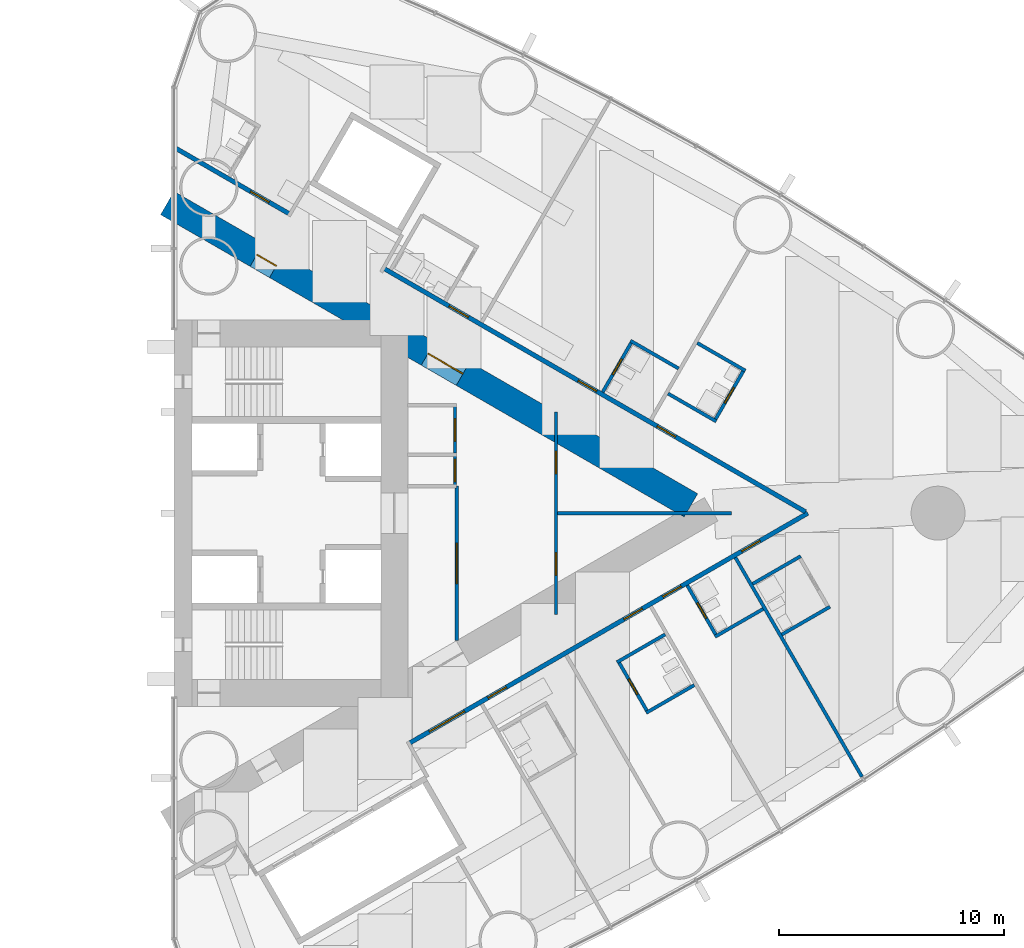
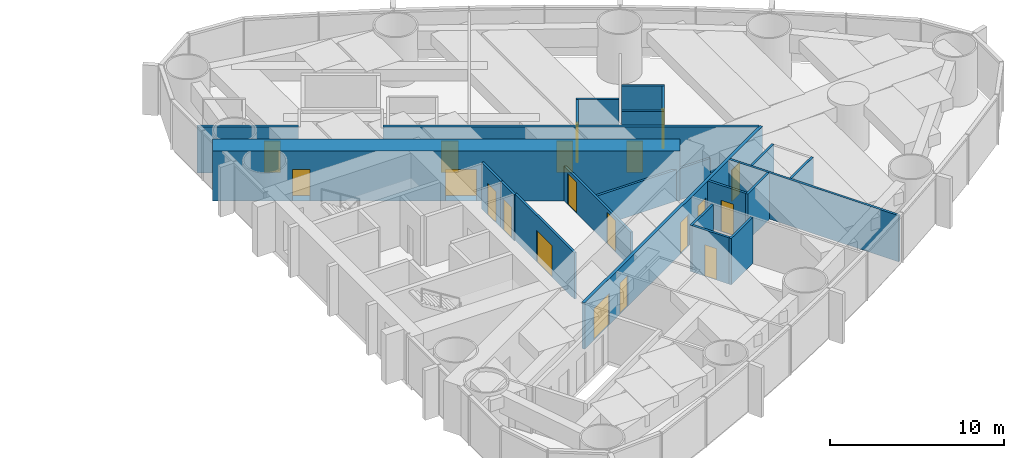
# One storey, part 15 of 19: 22 walls, 20 doors, 20 openings.
"""IFC4 building model written with IfcOpenShell, lengths in metres."""

from ifc_helpers import new_model, si_unit, direction, frame, frame_2d, origin, place, context, subcontext, project, spatial, rectangle, extrude, material, layer, layer_set, type_object, element, fill, save


model = new_model("IFC4")

# Units and contexts
model_context = context("Model", 3, precision=1e-05, world=origin(), true_north=direction((0.0, 1.0)))
body_context = subcontext(model_context, "Body", "Model", "MODEL_VIEW")
ifc_project = project(units=[si_unit("LENGTHUNIT", "METRE"), si_unit("AREAUNIT", "SQUARE_METRE"), si_unit("VOLUMEUNIT", "CUBIC_METRE"), si_unit("PLANEANGLEUNIT", "RADIAN"), si_unit("MASSUNIT", "GRAM", prefix="KILO")], contexts=[model_context])

# Site, building, storey
site_placement = place(None, origin())
site = spatial("IfcSite", under=ifc_project, at=site_placement, CompositionType="ELEMENT")
building_placement = place(site_placement, origin())
building = spatial("IfcBuilding", under=site, at=building_placement, Name="Lancet Gate Hotel", CompositionType="ELEMENT")
storey_placement = place(building_placement, frame((0.0, 0.0, 90.60009765625)))
storey = spatial("IfcBuildingStorey", under=building, at=storey_placement, Name="L23", CompositionType="ELEMENT", Elevation=90.60009765625)

# Wall
ifc_material_1 = material(Name="Moisture resistant board partition")
ifc_layer_1 = layer(ifc_material_1, 0.14990234375)
ifc_layer_set_1 = layer_set([ifc_layer_1], Name="Bathroom wall 150")
wall_type_1 = type_object("IfcWallType", Name="Bathroom wall 150", PredefinedType="PARTITIONING", material=ifc_layer_set_1)
wall_1_placement = place(storey_placement, frame((48.510009765625, -8.88671875, 0.0), z_axis=(0.0, 0.0, 1.0), x_axis=(0.866031185235, 0.4999899861, 0.0)))
element("IfcWall", 1, at=wall_1_placement, inside=storey, type_object=wall_type_1, Name="T2 bathroom wall 150 L23", PredefinedType="PARTITIONING", context=body_context, shape_type="SweptSolid", body=[
    extrude(rectangle(XDim=2.47509765625, YDim=0.14990234375, at=frame_2d((1.237548828125, 0.0))), origin(), (0.0, 0.0, 1.0), 3.25),
])

# Wall, opening, door
wall_2_placement = place(storey_placement, frame((47.275146484375, -6.597412109375, 0.0), z_axis=(0.0, 0.0, 1.0), x_axis=(0.499936506574, -0.866062058628, 0.0)))
wall_2 = element("IfcWall", 2, at=wall_2_placement, inside=storey, type_object=wall_type_1, Name="T2 bathroom wall 150 L23", PredefinedType="PARTITIONING", context=body_context, shape_type="SweptSolid", body=[
    extrude(rectangle(XDim=2.599853515625, YDim=0.14990234375, at=frame_2d((1.2998046875, 0.0))), origin(), (0.0, 0.0, 1.0), 3.25),
])
opening_1_placement = place(wall_2_placement, frame((0.89990234375, 0.0, 0.0)))
opening_1 = element("IfcOpeningElement", 3, at=opening_1_placement, cuts=wall_2, Name="Opening 2355-B", PredefinedType="OPENING", context=body_context, shape_type="SweptSolid", body=[
    extrude(rectangle(XDim=0.800048828125, YDim=2.199951171875, at=frame_2d((0.39990234375, 1.10009765625))), frame((0.0, 0.0849609375, 0.0), z_axis=(0.0, -1.0, 0.0), x_axis=(1.0, 0.0, 0.0)), (0.0, 0.0, 1.0), 0.169921875),
])
ifc_material_2 = material(Name="Timber door set", Category="wood")
door_type_1 = type_object("IfcDoorType", Name="Bathroom door 800", OperationType="SINGLE_SWING_RIGHT", PredefinedType="DOOR", material=ifc_material_2)
door_1_placement = place(opening_1_placement, origin())
door_1 = element("IfcDoor", 4, at=door_1_placement, inside=storey, type_object=door_type_1, Name="2355-B", OperationType="SINGLE_SWING_RIGHT", OverallHeight=2.199951171875, OverallWidth=0.800048828125, PredefinedType="DOOR", context=body_context, shape_type="SweptSolid", body=[
    extrude(rectangle(XDim=0.800048828125, YDim=2.199951171875, at=frame_2d((0.39990234375, 1.10009765625))), frame((0.0, 0.02490234375, 0.0), z_axis=(0.0, -1.0, 0.0), x_axis=(1.0, 0.0, 0.0)), (0.0, 0.0, 1.0), 0.050048828125),
])
fill(opening_1, door_1)

# Walls
for number, where, z_axis, x_axis, name in (
    (5, (47.210205078125, -6.635009765625, 0.0), (0.0, 0.0, 1.0), (0.866006523861, 0.500032699561, 0.0), "T2 bathroom wall 150 L23"),
    (6, (51.572998046875, -5.501708984375, 0.0), (0.0, 0.0, 1.0), (0.866006523861, 0.500032699561, 0.0), "T2 bathroom wall 150 L23"),
):
    element("IfcWall", number, at=place(storey_placement, frame(where, z_axis=z_axis, x_axis=x_axis)), inside=storey, type_object=wall_type_1, Name=name, PredefinedType="PARTITIONING", context=body_context, shape_type="SweptSolid", body=[
        extrude(rectangle(XDim=2.474853515625, YDim=0.14990234375, at=frame_2d((1.2373046875, 0.0))), origin(), (0.0, 0.0, 1.0), 3.25),
    ])

# Wall, opening, door
wall_3_placement = place(storey_placement, frame((50.337890625, -3.212646484375, 0.0), z_axis=(0.0, 0.0, 1.0), x_axis=(0.500047596559, -0.865997922154, 0.0)))
wall_3 = element("IfcWall", 7, at=wall_3_placement, inside=storey, type_object=wall_type_1, Name="T2 bathroom wall 150 L23", PredefinedType="PARTITIONING", context=body_context, shape_type="SweptSolid", body=[
    extrude(rectangle(XDim=2.599853515625, YDim=0.14990234375, at=frame_2d((1.2998046875, 0.0))), origin(), (0.0, 0.0, 1.0), 3.25),
])
opening_2_placement = place(wall_3_placement, frame((0.89990234375, 0.0, 0.0)))
opening_2 = element("IfcOpeningElement", 8, at=opening_2_placement, cuts=wall_3, Name="Opening 2356-B", PredefinedType="OPENING", context=body_context, shape_type="SweptSolid", body=[
    extrude(rectangle(XDim=0.800048828125, YDim=2.199951171875, at=frame_2d((0.39990234375, 1.10009765625))), frame((0.0, 0.0849609375, 0.0), z_axis=(0.0, -1.0, 0.0), x_axis=(1.0, 0.0, 0.0)), (0.0, 0.0, 1.0), 0.169921875),
])
door_2_placement = place(opening_2_placement, origin())
door_2 = element("IfcDoor", 9, at=door_2_placement, inside=storey, type_object=door_type_1, Name="2356-B", OperationType="SINGLE_SWING_RIGHT", OverallHeight=2.199951171875, OverallWidth=0.800048828125, PredefinedType="DOOR", context=body_context, shape_type="SweptSolid", body=[
    extrude(rectangle(XDim=0.800048828125, YDim=2.199951171875, at=frame_2d((0.39990234375, 1.10009765625))), frame((0.0, 0.02490234375, 0.0), z_axis=(0.0, -1.0, 0.0), x_axis=(1.0, 0.0, 0.0)), (0.0, 0.0, 1.0), 0.050048828125),
])
fill(opening_2, door_2)

# Walls
for number, where, z_axis, x_axis, name in (
    (10, (54.54638671875, -5.401611328125, 0.0), (0.0, 0.0, 1.0), (0.866006523861, 0.500032699561, 0.0), "T2 bathroom wall 150 L23"),
    (11, (53.246337890625, -3.14990234375, 0.0), (0.0, 0.0, 1.0), (0.866006523861, 0.500032699561, 0.0), "T2 bathroom wall 150 L23"),
    (12, (50.783447265625, 7.57421875, 0.0), (0.0, 0.0, 1.0), (0.866006523861, -0.500032699561, 0.0), "T2 bathroom wall 150 L23"),
):
    element("IfcWall", number, at=place(storey_placement, frame(where, z_axis=z_axis, x_axis=x_axis)), inside=storey, type_object=wall_type_1, Name=name, PredefinedType="PARTITIONING", context=body_context, shape_type="SweptSolid", body=[
        extrude(rectangle(XDim=2.474853515625, YDim=0.14990234375, at=frame_2d((1.2373046875, 0.0))), origin(), (0.0, 0.0, 1.0), 3.25),
    ])

# Wall, opening, door
wall_4_placement = place(storey_placement, frame((51.56201171875, 4.12255859375, 0.0), z_axis=(0.0, 0.0, 1.0), x_axis=(0.49997716683, 0.86603858612, 0.0)))
wall_4 = element("IfcWall", 13, at=wall_4_placement, inside=storey, type_object=wall_type_1, Name="T2 bathroom wall 150 L23", PredefinedType="PARTITIONING", context=body_context, shape_type="SweptSolid", body=[
    extrude(rectangle(XDim=2.599609375, YDim=0.14990234375, at=frame_2d((1.2998046875, 0.0))), origin(), (0.0, 0.0, 1.0), 3.25),
])
opening_3_placement = place(wall_4_placement, frame((0.89990234375, 0.0, 0.0)))
opening_3 = element("IfcOpeningElement", 14, at=opening_3_placement, cuts=wall_4, Name="Opening 2358-B", PredefinedType="OPENING", context=body_context, shape_type="SweptSolid", body=[
    extrude(rectangle(XDim=0.800048828125, YDim=2.199951171875, at=frame_2d((0.39990234375, 1.10009765625))), frame((0.0, 0.0849609375, 0.0), z_axis=(0.0, -1.0, 0.0), x_axis=(1.0, 0.0, 0.0)), (0.0, 0.0, 1.0), 0.169921875),
])
door_3_placement = place(opening_3_placement, origin())
door_3 = element("IfcDoor", 15, at=door_3_placement, inside=storey, type_object=door_type_1, Name="2358-B", OperationType="SINGLE_SWING_RIGHT", OverallHeight=2.199951171875, OverallWidth=0.800048828125, PredefinedType="DOOR", context=body_context, shape_type="SweptSolid", body=[
    extrude(rectangle(XDim=0.800048828125, YDim=2.199951171875, at=frame_2d((0.39990234375, 1.10009765625))), frame((0.0, 0.02490234375, 0.0), z_axis=(0.0, -1.0, 0.0), x_axis=(1.0, 0.0, 0.0)), (0.0, 0.0, 1.0), 0.050048828125),
])
fill(opening_3, door_3)

# Walls
for number, where, z_axis, x_axis, name in (
    (16, (49.4833984375, 5.322509765625, 0.0), (0.0, 0.0, 1.0), (0.866031185235, -0.4999899861, 0.0), "T2 bathroom wall 150 L23"),
    (17, (47.81005859375, 7.67431640625, 0.0), (0.0, 0.0, 1.0), (0.866031185235, -0.4999899861, 0.0), "T2 bathroom wall 150 L23"),
):
    element("IfcWall", number, at=place(storey_placement, frame(where, z_axis=z_axis, x_axis=x_axis)), inside=storey, type_object=wall_type_1, Name=name, PredefinedType="PARTITIONING", context=body_context, shape_type="SweptSolid", body=[
        extrude(rectangle(XDim=2.47509765625, YDim=0.14990234375, at=frame_2d((1.237548828125, 0.0))), origin(), (0.0, 0.0, 1.0), 3.25),
    ])

# Wall, opening, door
wall_5_placement = place(storey_placement, frame((46.574951171875, 5.385009765625, 0.0), z_axis=(0.0, 0.0, 1.0), x_axis=(0.500006934395, 0.866021400173, 0.0)))
wall_5 = element("IfcWall", 18, at=wall_5_placement, inside=storey, type_object=wall_type_1, Name="T2 bathroom wall 150 L23", PredefinedType="PARTITIONING", context=body_context, shape_type="SweptSolid", body=[
    extrude(rectangle(XDim=2.60009765625, YDim=0.14990234375, at=frame_2d((1.300048828125, 0.0))), origin(), (0.0, 0.0, 1.0), 3.25),
])
opening_4_placement = place(wall_5_placement, frame((0.89990234375, 0.0, 0.0)))
opening_4 = element("IfcOpeningElement", 19, at=opening_4_placement, cuts=wall_5, Name="Opening 2360-B", PredefinedType="OPENING", context=body_context, shape_type="SweptSolid", body=[
    extrude(rectangle(XDim=0.800048828125, YDim=2.199951171875, at=frame_2d((0.39990234375, 1.10009765625))), frame((0.0, 0.0849609375, 0.0), z_axis=(0.0, -1.0, 0.0), x_axis=(1.0, 0.0, 0.0)), (0.0, 0.0, 1.0), 0.169921875),
])
door_4_placement = place(opening_4_placement, origin())
door_4 = element("IfcDoor", 20, at=door_4_placement, inside=storey, type_object=door_type_1, Name="2360-B", OperationType="SINGLE_SWING_RIGHT", OverallHeight=2.199951171875, OverallWidth=0.800048828125, PredefinedType="DOOR", context=body_context, shape_type="SweptSolid", body=[
    extrude(rectangle(XDim=0.800048828125, YDim=2.199951171875, at=frame_2d((0.39990234375, 1.10009765625))), frame((0.0, 0.02490234375, 0.0), z_axis=(0.0, -1.0, 0.0), x_axis=(1.0, 0.0, 0.0)), (0.0, 0.0, 1.0), 0.050048828125),
])
fill(opening_4, door_4)

# Wall, openings, doors
ifc_material_3 = material(Name="Concrete C70/85", Category="concrete")
ifc_layer_2 = layer(ifc_material_3, 1.199951171875)
ifc_layer_set_2 = layer_set([ifc_layer_2], Name="Buttress wall 1200")
wall_type_2 = type_object("IfcWallType", Name="Buttress wall 1200", PredefinedType="SHEAR", material=ifc_layer_set_2)
wall_6_placement = place(storey_placement, frame((27.199951171875, 13.800048828125, 0.0), z_axis=(0.0, 0.0, 1.0), x_axis=(0.866024515034, -0.500001539357, 0.0)))
wall_6 = element("IfcWall", 21, at=wall_6_placement, inside=storey, type_object=wall_type_2, Name="T2 buttress wall N L23", PredefinedType="SHEAR", context=body_context, shape_type="SweptSolid", body=[
    extrude(rectangle(XDim=26.9072265625, YDim=1.199951171875, at=frame_2d((13.45361328125, 0.0))), origin(), (0.0, 0.0, 1.0), 3.5),
])
opening_5_placement = place(wall_6_placement, frame((4.60009765625, 0.0, 0.0)))
opening_5 = element("IfcOpeningElement", 22, at=opening_5_placement, cuts=wall_6, Name="Opening T2-L23-LN", PredefinedType="OPENING", context=body_context, shape_type="SweptSolid", body=[
    extrude(rectangle(XDim=1.0, YDim=2.199951171875, at=frame_2d((0.5, 1.10009765625))), frame((0.0, 0.60986328125, 0.0), z_axis=(0.0, -1.0, 0.0), x_axis=(1.0, 0.0, 0.0)), (0.0, 0.0, 1.0), 1.219970703125),
])
opening_6_placement = place(wall_6_placement, frame((13.39453125, 0.0, 0.0)))
opening_6 = element("IfcOpeningElement", 23, at=opening_6_placement, cuts=wall_6, Name="Opening T2-L23-LHN", PredefinedType="OPENING", context=body_context, shape_type="SweptSolid", body=[
    extrude(rectangle(XDim=1.800048828125, YDim=2.199951171875, at=frame_2d((0.89990234375, 1.10009765625))), frame((0.0, 0.60986328125, 0.0), z_axis=(0.0, -1.0, 0.0), x_axis=(1.0, 0.0, 0.0)), (0.0, 0.0, 1.0), 1.219970703125),
])
ifc_material_4 = material(Name="Timber door set", Category="wood")
door_type_2 = type_object("IfcDoorType", Name="Lobby double door 1800", OperationType="DOUBLE_DOOR_SINGLE_SWING", PredefinedType="DOOR", material=ifc_material_4)
door_5_placement = place(opening_6_placement, origin())
door_5 = element("IfcDoor", 24, at=door_5_placement, inside=storey, type_object=door_type_2, Name="T2-L23-LHN", OperationType="DOUBLE_DOOR_SINGLE_SWING", OverallHeight=2.199951171875, OverallWidth=1.800048828125, PredefinedType="DOOR", context=body_context, shape_type="SweptSolid", body=[
    extrude(rectangle(XDim=1.800048828125, YDim=2.199951171875, at=frame_2d((0.89990234375, 1.10009765625))), frame((0.0, 0.02490234375, 0.0), z_axis=(0.0, -1.0, 0.0), x_axis=(1.0, 0.0, 0.0)), (0.0, 0.0, 1.0), 0.050048828125),
])
fill(opening_6, door_5)
ifc_material_5 = material(Name="Timber door set", Category="wood")
door_type_3 = type_object("IfcDoorType", Name="Stair lobby door 1000", OperationType="SINGLE_SWING_LEFT", PredefinedType="DOOR", material=ifc_material_5)
door_6_placement = place(opening_5_placement, origin())
door_6 = element("IfcDoor", 25, at=door_6_placement, inside=storey, type_object=door_type_3, Name="T2-L23-LN", OperationType="SINGLE_SWING_LEFT", OverallHeight=2.199951171875, OverallWidth=1.0, PredefinedType="DOOR", context=body_context, shape_type="SweptSolid", body=[
    extrude(rectangle(XDim=1.0, YDim=2.199951171875, at=frame_2d((0.5, 1.10009765625))), frame((0.0, 0.02490234375, 0.0), z_axis=(0.0, -1.0, 0.0), x_axis=(1.0, 0.0, 0.0)), (0.0, 0.0, 1.0), 0.050048828125),
])
fill(opening_5, door_6)

ifc_material_6 = material(Name="Gypsum board partition")
ifc_layer_3 = layer(ifc_material_6, 0.199951171875)
ifc_layer_set_3 = layer_set([ifc_layer_3], Name="Corridor wall 200")
wall_type_3 = type_object("IfcWallType", Name="Corridor wall 200", PredefinedType="PARTITIONING", material=ifc_layer_set_3)
wall_7_placement = place(storey_placement, frame((37.9599609375, -10.243408203125, 0.0), z_axis=(0.0, 0.0, 1.0), x_axis=(0.866026429433, 0.499998223521, 0.0)))
wall_7 = element("IfcWall", 26, at=wall_7_placement, inside=storey, type_object=wall_type_3, Name="T2 corridor wall 200 L23", PredefinedType="PARTITIONING", context=body_context, shape_type="SweptSolid", body=[
    extrude(rectangle(XDim=20.48681640625, YDim=0.199951171875, at=frame_2d((10.243408203125, 0.0))), origin(), (0.0, 0.0, 1.0), 3.25),
])
opening_7_placement = place(wall_7_placement, frame((4.046630859375, 0.0, 0.0)))
opening_7 = element("IfcOpeningElement", 27, at=opening_7_placement, cuts=wall_7, Name="Opening 2354-E", PredefinedType="OPENING", context=body_context, shape_type="SweptSolid", body=[
    extrude(rectangle(XDim=0.949951171875, YDim=2.199951171875, at=frame_2d((0.47509765625, 1.10009765625))), frame((0.0, 0.10986328125, 0.0), z_axis=(0.0, -1.0, 0.0), x_axis=(1.0, 0.0, 0.0)), (0.0, 0.0, 1.0), 0.219970703125),
])
opening_8_placement = place(wall_7_placement, frame((11.0400390625, 0.0, 0.0)))
opening_8 = element("IfcOpeningElement", 28, at=opening_8_placement, cuts=wall_7, Name="Opening 2355-E", PredefinedType="OPENING", context=body_context, shape_type="SweptSolid", body=[
    extrude(rectangle(XDim=0.949951171875, YDim=2.199951171875, at=frame_2d((0.47509765625, 1.10009765625))), frame((0.0, 0.10986328125, 0.0), z_axis=(0.0, -1.0, 0.0), x_axis=(1.0, 0.0, 0.0)), (0.0, 0.0, 1.0), 0.219970703125),
])
opening_9_placement = place(wall_7_placement, frame((13.03515625, 0.0, 0.0)))
opening_9 = element("IfcOpeningElement", 29, at=opening_9_placement, cuts=wall_7, Name="Opening 2356-E", PredefinedType="OPENING", context=body_context, shape_type="SweptSolid", body=[
    extrude(rectangle(XDim=0.949951171875, YDim=2.199951171875, at=frame_2d((0.47509765625, 1.10009765625))), frame((0.0, 0.10986328125, 0.0), z_axis=(0.0, -1.0, 0.0), x_axis=(1.0, 0.0, 0.0)), (0.0, 0.0, 1.0), 0.219970703125),
])
opening_10_placement = place(wall_7_placement, frame((17.085205078125, 0.0, 0.0)))
opening_10 = element("IfcOpeningElement", 30, at=opening_10_placement, cuts=wall_7, Name="Opening 2357-E", PredefinedType="OPENING", context=body_context, shape_type="SweptSolid", body=[
    extrude(rectangle(XDim=0.949951171875, YDim=2.199951171875, at=frame_2d((0.47509765625, 1.10009765625))), frame((0.0, 0.10986328125, 0.0), z_axis=(0.0, -1.0, 0.0), x_axis=(1.0, 0.0, 0.0)), (0.0, 0.0, 1.0), 0.219970703125),
])
opening_11_placement = place(wall_7_placement, frame((1.04833984375, 0.0, 0.0)))
opening_11 = element("IfcOpeningElement", 31, at=opening_11_placement, cuts=wall_7, Name="Opening T2-L23-LO2", PredefinedType="OPENING", context=body_context, shape_type="SweptSolid", body=[
    extrude(rectangle(XDim=1.800048828125, YDim=2.199951171875, at=frame_2d((0.89990234375, 1.10009765625))), frame((0.0, 0.10986328125, 0.0), z_axis=(0.0, -1.0, 0.0), x_axis=(1.0, 0.0, 0.0)), (0.0, 0.0, 1.0), 0.219970703125),
])
ifc_material_7 = material(Name="Timber door set", Category="wood")
door_type_4 = type_object("IfcDoorType", Name="Double door 1800", OperationType="DOUBLE_DOOR_SINGLE_SWING", PredefinedType="DOOR", material=ifc_material_7)
door_7_placement = place(opening_11_placement, origin())
door_7 = element("IfcDoor", 32, at=door_7_placement, inside=storey, type_object=door_type_4, Name="T2-L23-LO2", OperationType="DOUBLE_DOOR_SINGLE_SWING", OverallHeight=2.199951171875, OverallWidth=1.800048828125, PredefinedType="DOOR", context=body_context, shape_type="SweptSolid", body=[
    extrude(rectangle(XDim=1.800048828125, YDim=2.199951171875, at=frame_2d((0.89990234375, 1.10009765625))), frame((0.0, 0.02490234375, 0.0), z_axis=(0.0, -1.0, 0.0), x_axis=(1.0, 0.0, 0.0)), (0.0, 0.0, 1.0), 0.050048828125),
])
fill(opening_11, door_7)
ifc_material_8 = material(Name="Timber door set", Category="wood")
door_type_5 = type_object("IfcDoorType", Name="Guest room entry door 950", OperationType="SINGLE_SWING_LEFT", PredefinedType="DOOR", material=ifc_material_8)
door_8_placement = place(opening_7_placement, origin())
door_8 = element("IfcDoor", 33, at=door_8_placement, inside=storey, type_object=door_type_5, Name="2354-E", OperationType="SINGLE_SWING_LEFT", OverallHeight=2.199951171875, OverallWidth=0.949951171875, PredefinedType="DOOR", context=body_context, shape_type="SweptSolid", body=[
    extrude(rectangle(XDim=0.949951171875, YDim=2.199951171875, at=frame_2d((0.47509765625, 1.10009765625))), frame((0.0, 0.02490234375, 0.0), z_axis=(0.0, -1.0, 0.0), x_axis=(1.0, 0.0, 0.0)), (0.0, 0.0, 1.0), 0.050048828125),
])
fill(opening_7, door_8)
door_9_placement = place(opening_8_placement, origin())
door_9 = element("IfcDoor", 34, at=door_9_placement, inside=storey, type_object=door_type_5, Name="2355-E", OperationType="SINGLE_SWING_LEFT", OverallHeight=2.199951171875, OverallWidth=0.949951171875, PredefinedType="DOOR", context=body_context, shape_type="SweptSolid", body=[
    extrude(rectangle(XDim=0.949951171875, YDim=2.199951171875, at=frame_2d((0.47509765625, 1.10009765625))), frame((0.0, 0.02490234375, 0.0), z_axis=(0.0, -1.0, 0.0), x_axis=(1.0, 0.0, 0.0)), (0.0, 0.0, 1.0), 0.050048828125),
])
fill(opening_8, door_9)
door_10_placement = place(opening_9_placement, origin())
door_10 = element("IfcDoor", 35, at=door_10_placement, inside=storey, type_object=door_type_5, Name="2356-E", OperationType="SINGLE_SWING_LEFT", OverallHeight=2.199951171875, OverallWidth=0.949951171875, PredefinedType="DOOR", context=body_context, shape_type="SweptSolid", body=[
    extrude(rectangle(XDim=0.949951171875, YDim=2.199951171875, at=frame_2d((0.47509765625, 1.10009765625))), frame((0.0, 0.02490234375, 0.0), z_axis=(0.0, -1.0, 0.0), x_axis=(1.0, 0.0, 0.0)), (0.0, 0.0, 1.0), 0.050048828125),
])
fill(opening_9, door_10)
door_11_placement = place(opening_10_placement, origin())
door_11 = element("IfcDoor", 36, at=door_11_placement, inside=storey, type_object=door_type_5, Name="2357-E", OperationType="SINGLE_SWING_LEFT", OverallHeight=2.199951171875, OverallWidth=0.949951171875, PredefinedType="DOOR", context=body_context, shape_type="SweptSolid", body=[
    extrude(rectangle(XDim=0.949951171875, YDim=2.199951171875, at=frame_2d((0.47509765625, 1.10009765625))), frame((0.0, 0.02490234375, 0.0), z_axis=(0.0, -1.0, 0.0), x_axis=(1.0, 0.0, 0.0)), (0.0, 0.0, 1.0), 0.050048828125),
])
fill(opening_10, door_11)

# Wall, opening, door
wall_8_placement = place(storey_placement, frame((27.572021484375, 16.240966796875, 0.0), z_axis=(0.0, 0.0, 1.0), x_axis=(0.866032814021, -0.499987164874, 0.0)))
wall_8 = element("IfcWall", 37, at=wall_8_placement, inside=storey, type_object=wall_type_3, Name="T2 corridor wall 200 L23", PredefinedType="PARTITIONING", context=body_context, shape_type="SweptSolid", body=[
    extrude(rectangle(XDim=5.854736328125, YDim=0.199951171875, at=frame_2d((2.92724609375, 0.0))), origin(), (0.0, 0.0, 1.0), 3.25),
])
opening_12_placement = place(wall_8_placement, frame((3.85009765625, 0.0, 0.0)))
opening_12 = element("IfcOpeningElement", 38, at=opening_12_placement, cuts=wall_8, Name="Opening 2364-E", PredefinedType="OPENING", context=body_context, shape_type="SweptSolid", body=[
    extrude(rectangle(XDim=0.949951171875, YDim=2.199951171875, at=frame_2d((0.47509765625, 1.10009765625))), frame((0.0, 0.10986328125, 0.0), z_axis=(0.0, -1.0, 0.0), x_axis=(1.0, 0.0, 0.0)), (0.0, 0.0, 1.0), 0.219970703125),
])
door_12_placement = place(opening_12_placement, origin())
door_12 = element("IfcDoor", 39, at=door_12_placement, inside=storey, type_object=door_type_5, Name="2364-E", OperationType="SINGLE_SWING_LEFT", OverallHeight=2.199951171875, OverallWidth=0.949951171875, PredefinedType="DOOR", context=body_context, shape_type="SweptSolid", body=[
    extrude(rectangle(XDim=0.949951171875, YDim=2.199951171875, at=frame_2d((0.47509765625, 1.10009765625))), frame((0.0, 0.02490234375, 0.0), z_axis=(0.0, -1.0, 0.0), x_axis=(1.0, 0.0, 0.0)), (0.0, 0.0, 1.0), 0.050048828125),
])
fill(opening_12, door_12)

# Wall, openings, doors
wall_9_placement = place(storey_placement, frame((36.833984375, 10.8935546875, 0.0), z_axis=(0.0, 0.0, 1.0), x_axis=(0.866028157229, -0.499995230863, 0.0)))
wall_9 = element("IfcWall", 40, at=wall_9_placement, inside=storey, type_object=wall_type_3, Name="T2 corridor wall 200 L23", PredefinedType="PARTITIONING", context=body_context, shape_type="SweptSolid", body=[
    extrude(rectangle(XDim=21.667236328125, YDim=0.199951171875, at=frame_2d((10.83349609375, 0.0))), origin(), (0.0, 0.0, 1.0), 3.25),
])
opening_13_placement = place(wall_9_placement, frame((14.040283203125, 0.0, 0.0)))
opening_13 = element("IfcOpeningElement", 41, at=opening_13_placement, cuts=wall_9, Name="Opening 2358-E", PredefinedType="OPENING", context=body_context, shape_type="SweptSolid", body=[
    extrude(rectangle(XDim=0.949951171875, YDim=2.199951171875, at=frame_2d((0.47509765625, 1.10009765625))), frame((0.0, 0.10986328125, 0.0), z_axis=(0.0, -1.0, 0.0), x_axis=(1.0, 0.0, 0.0)), (0.0, 0.0, 1.0), 0.219970703125),
])
opening_14_placement = place(wall_9_placement, frame((9.990234375, 0.0, 0.0)))
opening_14 = element("IfcOpeningElement", 42, at=opening_14_placement, cuts=wall_9, Name="Opening 2360-E", PredefinedType="OPENING", context=body_context, shape_type="SweptSolid", body=[
    extrude(rectangle(XDim=0.949951171875, YDim=2.199951171875, at=frame_2d((0.47509765625, 1.10009765625))), frame((0.0, 0.10986328125, 0.0), z_axis=(0.0, -1.0, 0.0), x_axis=(1.0, 0.0, 0.0)), (0.0, 0.0, 1.0), 0.219970703125),
])
opening_15_placement = place(wall_9_placement, frame((3.35009765625, 0.0, 0.0)))
opening_15 = element("IfcOpeningElement", 43, at=opening_15_placement, cuts=wall_9, Name="Opening 2362-E", PredefinedType="OPENING", context=body_context, shape_type="SweptSolid", body=[
    extrude(rectangle(XDim=1.0, YDim=2.199951171875, at=frame_2d((0.5, 1.10009765625))), frame((0.0, 0.10986328125, 0.0), z_axis=(0.0, -1.0, 0.0), x_axis=(1.0, 0.0, 0.0)), (0.0, 0.0, 1.0), 0.219970703125),
])
ifc_material_9 = material(Name="Timber door set", Category="wood")
door_type_6 = type_object("IfcDoorType", Name="Accessible guest room door 1000", OperationType="SINGLE_SWING_LEFT", PredefinedType="DOOR", material=ifc_material_9)
door_13_placement = place(opening_15_placement, origin())
door_13 = element("IfcDoor", 44, at=door_13_placement, inside=storey, type_object=door_type_6, Name="2362-E", OperationType="SINGLE_SWING_LEFT", OverallHeight=2.199951171875, OverallWidth=1.0, PredefinedType="DOOR", context=body_context, shape_type="SweptSolid", body=[
    extrude(rectangle(XDim=1.0, YDim=2.199951171875, at=frame_2d((0.5, 1.10009765625))), frame((0.0, 0.02490234375, 0.0), z_axis=(0.0, -1.0, 0.0), x_axis=(1.0, 0.0, 0.0)), (0.0, 0.0, 1.0), 0.050048828125),
])
fill(opening_15, door_13)
door_14_placement = place(opening_13_placement, origin())
door_14 = element("IfcDoor", 45, at=door_14_placement, inside=storey, type_object=door_type_5, Name="2358-E", OperationType="SINGLE_SWING_LEFT", OverallHeight=2.199951171875, OverallWidth=0.949951171875, PredefinedType="DOOR", context=body_context, shape_type="SweptSolid", body=[
    extrude(rectangle(XDim=0.949951171875, YDim=2.199951171875, at=frame_2d((0.47509765625, 1.10009765625))), frame((0.0, 0.02490234375, 0.0), z_axis=(0.0, -1.0, 0.0), x_axis=(1.0, 0.0, 0.0)), (0.0, 0.0, 1.0), 0.050048828125),
])
fill(opening_13, door_14)
door_15_placement = place(opening_14_placement, origin())
door_15 = element("IfcDoor", 46, at=door_15_placement, inside=storey, type_object=door_type_5, Name="2360-E", OperationType="SINGLE_SWING_LEFT", OverallHeight=2.199951171875, OverallWidth=0.949951171875, PredefinedType="DOOR", context=body_context, shape_type="SweptSolid", body=[
    extrude(rectangle(XDim=0.949951171875, YDim=2.199951171875, at=frame_2d((0.47509765625, 1.10009765625))), frame((0.0, 0.02490234375, 0.0), z_axis=(0.0, -1.0, 0.0), x_axis=(1.0, 0.0, 0.0)), (0.0, 0.0, 1.0), 0.050048828125),
])
fill(opening_14, door_15)

# Wall
ifc_material_10 = material(Name="Gypsum board partition")
ifc_layer_4 = layer(ifc_material_10, 0.14990234375)
ifc_layer_set_4 = layer_set([ifc_layer_4], Name="Party wall 150")
wall_type_4 = type_object("IfcWallType", Name="Party wall 150", PredefinedType="PARTITIONING", material=ifc_layer_set_4)
wall_10_placement = place(storey_placement, frame((52.4814453125, -1.97509765625, 0.0), z_axis=(0.0, 0.0, 1.0), x_axis=(0.500003867771, -0.866023170714, 0.0)))
element("IfcWall", 47, at=wall_10_placement, inside=storey, type_object=wall_type_4, Name="T2 party wall 150 L23", PredefinedType="PARTITIONING", context=body_context, shape_type="SweptSolid", body=[
    extrude(rectangle(XDim=11.2646484375, YDim=0.14990234375, at=frame_2d((5.63232421875, 0.0))), origin(), (0.0, 0.0, 1.0), 3.25),
])

# Wall, opening, door
ifc_material_11 = material(Name="Gypsum board partition")
ifc_layer_5 = layer(ifc_material_11, 0.14990234375)
ifc_layer_set_5 = layer_set([ifc_layer_5], Name="Service room wall 150")
wall_type_5 = type_object("IfcWallType", Name="Service room wall 150", PredefinedType="PARTITIONING", material=ifc_layer_set_5)
wall_11_placement = place(storey_placement, frame((40.0, 1.125, 0.0), z_axis=(0.0, 0.0, 1.0), x_axis=(0.0, 1.0, 0.0)))
wall_11 = element("IfcWall", 48, at=wall_11_placement, inside=storey, type_object=wall_type_5, Name="T2 service room wall 150 L23", PredefinedType="PARTITIONING", context=body_context, shape_type="SweptSolid", body=[
    extrude(rectangle(XDim=1.550048828125, YDim=0.14990234375, at=frame_2d((0.77490234375, 0.0))), origin(), (0.0, 0.0, 1.0), 3.25),
])
opening_16_placement = place(wall_11_placement, frame((0.27490234375, 0.0, 0.0)))
opening_16 = element("IfcOpeningElement", 49, at=opening_16_placement, cuts=wall_11, Name="Opening T2-L23-HRN0", PredefinedType="OPENING", context=body_context, shape_type="SweptSolid", body=[
    extrude(rectangle(XDim=1.0, YDim=2.199951171875, at=frame_2d((0.5, 1.10009765625))), frame((0.0, 0.0849609375, 0.0), z_axis=(0.0, -1.0, 0.0), x_axis=(1.0, 0.0, 0.0)), (0.0, 0.0, 1.0), 0.169921875),
])
ifc_material_12 = material(Name="Timber door set", Category="wood")
door_type_7 = type_object("IfcDoorType", Name="Service door 1000", OperationType="SINGLE_SWING_LEFT", PredefinedType="DOOR", material=ifc_material_12)
door_16_placement = place(opening_16_placement, origin())
door_16 = element("IfcDoor", 50, at=door_16_placement, inside=storey, type_object=door_type_7, Name="T2-L23-HRN0", OperationType="SINGLE_SWING_LEFT", OverallHeight=2.199951171875, OverallWidth=1.0, PredefinedType="DOOR", context=body_context, shape_type="SweptSolid", body=[
    extrude(rectangle(XDim=1.0, YDim=2.199951171875, at=frame_2d((0.5, 1.10009765625))), frame((0.0, 0.02490234375, 0.0), z_axis=(0.0, -1.0, 0.0), x_axis=(1.0, 0.0, 0.0)), (0.0, 0.0, 1.0), 0.050048828125),
])
fill(opening_16, door_16)

wall_12_placement = place(storey_placement, frame((40.0, 2.52490234375, 0.0), z_axis=(0.0, 0.0, 1.0), x_axis=(0.0, 1.0, 0.0)))
wall_12 = element("IfcWall", 51, at=wall_12_placement, inside=storey, type_object=wall_type_5, Name="T2 service room wall 150 L23", PredefinedType="PARTITIONING", context=body_context, shape_type="SweptSolid", body=[
    extrude(rectangle(XDim=2.35009765625, YDim=0.14990234375, at=frame_2d((1.175048828125, 0.0))), origin(), (0.0, 0.0, 1.0), 3.25),
])
opening_17_placement = place(wall_12_placement, frame((0.675048828125, 0.0, 0.0)))
opening_17 = element("IfcOpeningElement", 52, at=opening_17_placement, cuts=wall_12, Name="Opening T2-L23-HRN1", PredefinedType="OPENING", context=body_context, shape_type="SweptSolid", body=[
    extrude(rectangle(XDim=1.0, YDim=2.199951171875, at=frame_2d((0.5, 1.10009765625))), frame((0.0, 0.0849609375, 0.0), z_axis=(0.0, -1.0, 0.0), x_axis=(1.0, 0.0, 0.0)), (0.0, 0.0, 1.0), 0.169921875),
])
door_17_placement = place(opening_17_placement, origin())
door_17 = element("IfcDoor", 53, at=door_17_placement, inside=storey, type_object=door_type_7, Name="T2-L23-HRN1", OperationType="SINGLE_SWING_LEFT", OverallHeight=2.199951171875, OverallWidth=1.0, PredefinedType="DOOR", context=body_context, shape_type="SweptSolid", body=[
    extrude(rectangle(XDim=1.0, YDim=2.199951171875, at=frame_2d((0.5, 1.10009765625))), frame((0.0, 0.02490234375, 0.0), z_axis=(0.0, -1.0, 0.0), x_axis=(1.0, 0.0, 0.0)), (0.0, 0.0, 1.0), 0.050048828125),
])
fill(opening_17, door_17)

wall_13_placement = place(storey_placement, frame((40.074951171875, -5.673828125, 0.0), z_axis=(0.0, 0.0, 1.0), x_axis=(0.0, 1.0, 0.0)))
wall_13 = element("IfcWall", 54, at=wall_13_placement, inside=storey, type_object=wall_type_5, Name="T2 service room wall 150 L23", PredefinedType="PARTITIONING", context=body_context, shape_type="SweptSolid", body=[
    extrude(rectangle(XDim=6.873779296875, YDim=0.14990234375, at=frame_2d((3.43701171875, 0.0))), origin(), (0.0, 0.0, 1.0), 3.25),
])
opening_18_placement = place(wall_13_placement, frame((2.536865234375, 0.0, 0.0)))
opening_18 = element("IfcOpeningElement", 55, at=opening_18_placement, cuts=wall_13, Name="Opening T2-L23-LH", PredefinedType="OPENING", context=body_context, shape_type="SweptSolid", body=[
    extrude(rectangle(XDim=1.800048828125, YDim=2.199951171875, at=frame_2d((0.89990234375, 1.10009765625))), frame((0.0, 0.0849609375, 0.0), z_axis=(0.0, -1.0, 0.0), x_axis=(1.0, 0.0, 0.0)), (0.0, 0.0, 1.0), 0.169921875),
])
door_18_placement = place(opening_18_placement, origin())
door_18 = element("IfcDoor", 56, at=door_18_placement, inside=storey, type_object=door_type_2, Name="T2-L23-LH", OperationType="DOUBLE_DOOR_SINGLE_SWING", OverallHeight=2.199951171875, OverallWidth=1.800048828125, PredefinedType="DOOR", context=body_context, shape_type="SweptSolid", body=[
    extrude(rectangle(XDim=1.800048828125, YDim=2.199951171875, at=frame_2d((0.89990234375, 1.10009765625))), frame((0.0, 0.02490234375, 0.0), z_axis=(0.0, -1.0, 0.0), x_axis=(1.0, 0.0, 0.0)), (0.0, 0.0, 1.0), 0.050048828125),
])
fill(opening_18, door_18)

# Wall, openings, doors
wall_14_placement = place(storey_placement, frame((44.5, -4.504638671875, 0.0), z_axis=(0.0, 0.0, 1.0), x_axis=(0.0, 1.0, 0.0)))
wall_14 = element("IfcWall", 57, at=wall_14_placement, inside=storey, type_object=wall_type_5, Name="T2 service room wall 150 L23", PredefinedType="PARTITIONING", context=body_context, shape_type="SweptSolid", body=[
    extrude(rectangle(XDim=9.00927734375, YDim=0.14990234375, at=frame_2d((4.504638671875, 0.0))), origin(), (0.0, 0.0, 1.0), 2.449951171875),
])
opening_19_placement = place(wall_14_placement, frame((1.752197265625, 0.0, 0.0)))
opening_19 = element("IfcOpeningElement", 58, at=opening_19_placement, cuts=wall_14, Name="Opening T2-L23-SV", PredefinedType="OPENING", context=body_context, shape_type="SweptSolid", body=[
    extrude(rectangle(XDim=1.0, YDim=2.199951171875, at=frame_2d((0.5, 1.10009765625))), frame((0.0, 0.0849609375, 0.0), z_axis=(0.0, -1.0, 0.0), x_axis=(1.0, 0.0, 0.0)), (0.0, 0.0, 1.0), 0.169921875),
])
opening_20_placement = place(wall_14_placement, frame((6.2568359375, 0.0, 0.0)))
opening_20 = element("IfcOpeningElement", 59, at=opening_20_placement, cuts=wall_14, Name="Opening T2-L23-SV2", PredefinedType="OPENING", context=body_context, shape_type="SweptSolid", body=[
    extrude(rectangle(XDim=1.0, YDim=2.199951171875, at=frame_2d((0.5, 1.10009765625))), frame((0.0, 0.0849609375, 0.0), z_axis=(0.0, -1.0, 0.0), x_axis=(1.0, 0.0, 0.0)), (0.0, 0.0, 1.0), 0.169921875),
])
door_19_placement = place(opening_19_placement, origin())
door_19 = element("IfcDoor", 60, at=door_19_placement, inside=storey, type_object=door_type_7, Name="T2-L23-SV", OperationType="SINGLE_SWING_LEFT", OverallHeight=2.199951171875, OverallWidth=1.0, PredefinedType="DOOR", context=body_context, shape_type="SweptSolid", body=[
    extrude(rectangle(XDim=1.0, YDim=2.199951171875, at=frame_2d((0.5, 1.10009765625))), frame((0.0, 0.02490234375, 0.0), z_axis=(0.0, -1.0, 0.0), x_axis=(1.0, 0.0, 0.0)), (0.0, 0.0, 1.0), 0.050048828125),
])
fill(opening_19, door_19)
door_20_placement = place(opening_20_placement, origin())
door_20 = element("IfcDoor", 61, at=door_20_placement, inside=storey, type_object=door_type_7, Name="T2-L23-SV2", OperationType="SINGLE_SWING_LEFT", OverallHeight=2.199951171875, OverallWidth=1.0, PredefinedType="DOOR", context=body_context, shape_type="SweptSolid", body=[
    extrude(rectangle(XDim=1.0, YDim=2.199951171875, at=frame_2d((0.5, 1.10009765625))), frame((0.0, 0.02490234375, 0.0), z_axis=(0.0, -1.0, 0.0), x_axis=(1.0, 0.0, 0.0)), (0.0, 0.0, 1.0), 0.050048828125),
])
fill(opening_20, door_20)

# Wall
wall_15_placement = place(storey_placement, frame((44.574951171875, 0.0, 0.0), z_axis=(0.0, 0.0, 1.0), x_axis=(1.0, 0.0, 0.0)))
element("IfcWall", 62, at=wall_15_placement, inside=storey, type_object=wall_type_5, Name="T2 service room wall 150 L23", PredefinedType="PARTITIONING", context=body_context, shape_type="SweptSolid", body=[
    extrude(rectangle(XDim=7.727294921875, YDim=0.14990234375, at=frame_2d((3.86376953125, 0.0))), origin(), (0.0, 0.0, 1.0), 2.199951171875),
])

save(model, "model.ifc")
